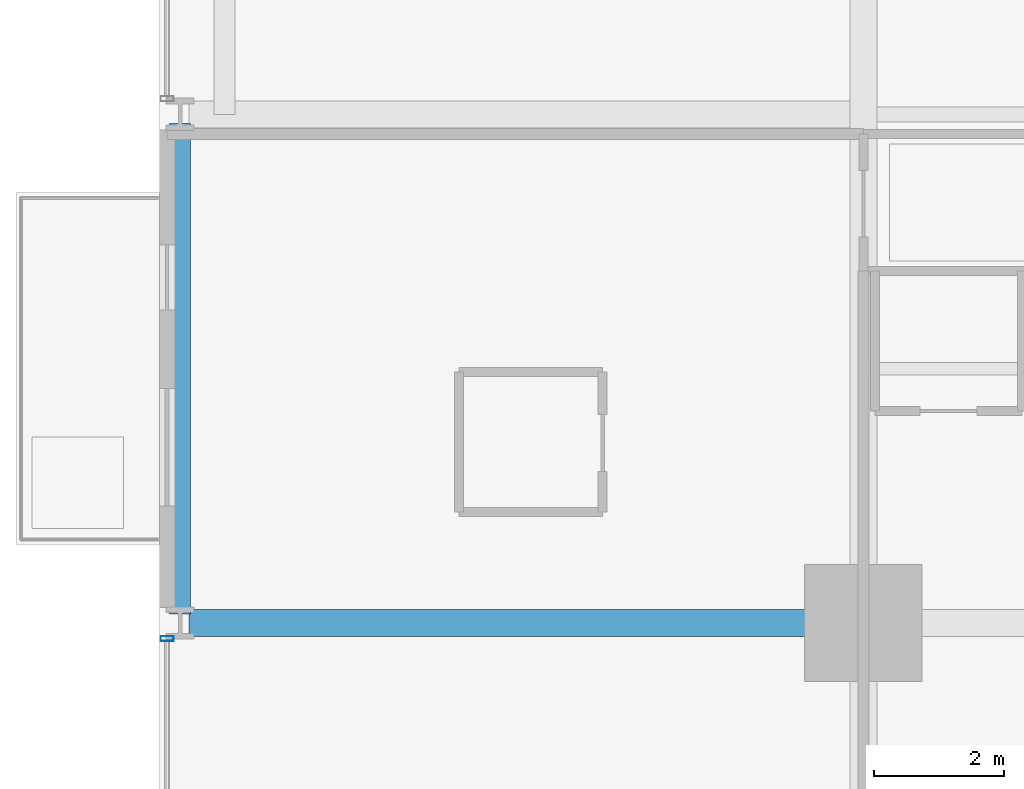
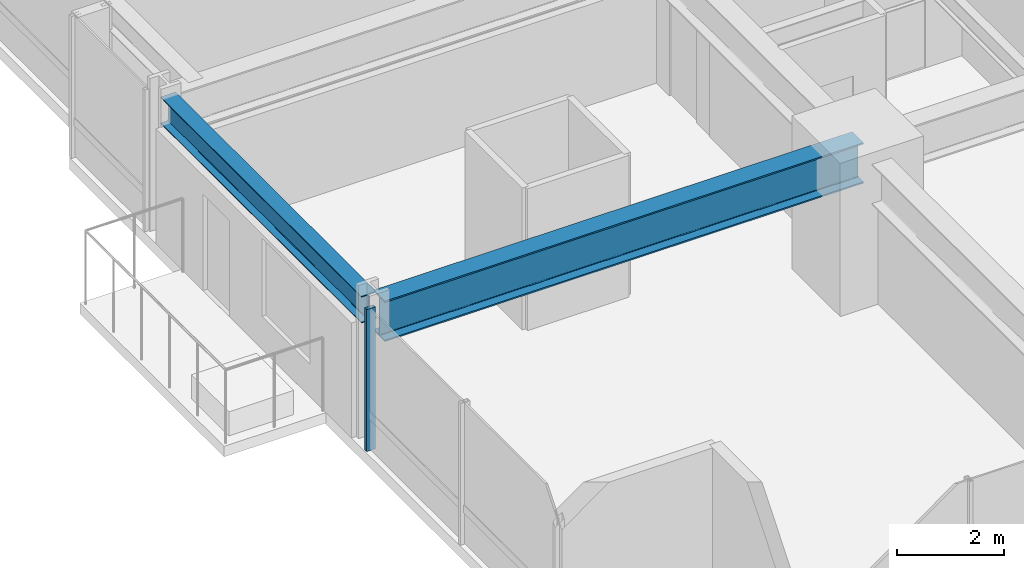
# One storey, part 4 of 39: 2 beams, 1 member, 1 element without a shape of its own.
"""IFC4 building model written with IfcOpenShell, lengths in metres."""

from ifc_helpers import new_model, si_unit, direction, frame, origin, origin_2d, place, context, subcontext, project, spatial, hollow_rectangle, i_section, extrude, material, layer, layer_set, material_profile, profile_set, type_object, element, aggregate, save


model = new_model("IFC4")

# Units and contexts
model_context = context("Model", 3, precision=1e-05, world=origin(), true_north=direction((0.0, 1.0)))
body_context = subcontext(model_context, "Body", "Model", "MODEL_VIEW")
ifc_project = project(units=[si_unit("LENGTHUNIT", "METRE"), si_unit("AREAUNIT", "SQUARE_METRE"), si_unit("VOLUMEUNIT", "CUBIC_METRE"), si_unit("PLANEANGLEUNIT", "RADIAN"), si_unit("MASSUNIT", "GRAM", prefix="KILO")], contexts=[model_context])

# Site, building, storey
site_placement = place(None, origin())
site = spatial("IfcSite", under=ifc_project, at=site_placement, CompositionType="ELEMENT")
building_placement = place(site_placement, origin())
building = spatial("IfcBuilding", under=site, at=building_placement, Name="Drelvath Grand Hotel", CompositionType="ELEMENT")
storey_placement = place(building_placement, frame((0.0, 0.0, 36.699951171875)))
storey = spatial("IfcBuildingStorey", under=building, at=storey_placement, Name="L07", CompositionType="ELEMENT", Elevation=36.699951171875)

# Curtain wall, member
ifc_material_1 = material(Name="Warm Bronze Anodised Aluminium Frame", Category="aluminium")
ifc_layer = layer(ifc_material_1, 0.199951171875)
ifc_layer_set = layer_set([ifc_layer], Name="Warm Bronze Anodised Aluminium Frame")
curtain_wall_type = type_object("IfcCurtainWallType", Name="Stick Curtain Wall CW-02 Warm Bronze Low-Rise", PredefinedType="NOTDEFINED", material=ifc_layer_set)
curtain_wall_placement = place(storey_placement, origin())
curtain_wall = element("IfcCurtainWall", 1, at=curtain_wall_placement, inside=storey, type_object=curtain_wall_type, Name="L07 CW-02 Curtain Wall CW02-L07-WS1", PredefinedType="NOTDEFINED")
ifc_material_profile_1 = material_profile(ifc_material_1, hollow_rectangle(XDim=0.080078125, YDim=0.199951171875, WallThickness=0.0048828125, at=origin_2d()), Name="HSS200X80X5")
ifc_profile_set_1 = profile_set([ifc_material_profile_1], Name="Warm Bronze Anodised Aluminium Frame")
member_type = type_object("IfcMemberType", Name="Curtain Wall Vertical Mullion CW-02 HSS200X80X5", PredefinedType="MULLION", material=ifc_profile_set_1)
member_placement = place(storey_placement, frame((-26.8798828125, 10.55908203125, 0.0), z_axis=(0.0, 0.0, 1.0), x_axis=(0.0, 1.0, 0.0)))
member = element("IfcMember", 2, at=member_placement, type_object=member_type, Name="CW02-L07-WS1 Mullion 3", PredefinedType="MULLION", context=body_context, shape_type="SweptSolid", body=[
    extrude(hollow_rectangle(XDim=0.080078125, YDim=0.199951171875, WallThickness=0.0048828125, at=origin_2d()), origin(), (0.0, 0.0, 1.0), 3.239990234375),
])
aggregate(curtain_wall, [member])

# Beams
ifc_material_2 = material(Name="Steel ASTM A992 Gr 50", Category="steel")
ifc_material_profile_2 = material_profile(ifc_material_2, i_section(OverallWidth=0.323974609375, OverallDepth=0.611083984375, WebThickness=0.0126953125, FlangeThickness=0.01904296875, FilletRadius=0.02197265625, at=origin_2d()), Name="W24X104")
ifc_profile_set_2 = profile_set([ifc_material_profile_2], Name="Steel ASTM A992 Gr 50")
beam_type_1 = type_object("IfcBeamType", Name="Perimeter Spandrel Beam W24X104", PredefinedType="SPANDREL", material=ifc_profile_set_2)
beam_1_placement = place(storey_placement, frame((-26.679931640625, 10.93994140625, 2.9345703125), z_axis=(0.0, 1.0, 0.0), x_axis=(-1.0, 0.0, 0.0)))
element("IfcBeam", 3, at=beam_1_placement, inside=storey, type_object=beam_type_1, Name="L07 Spandrel West S", PredefinedType="SPANDREL", context=body_context, shape_type="SweptSolid", body=[
    extrude(i_section(OverallWidth=0.323974609375, OverallDepth=0.611083984375, WebThickness=0.0126953125, FlangeThickness=0.01904296875, FilletRadius=0.02197265625, at=origin_2d()), origin(), (0.0, 0.0, 1.0), 7.52001953125),
])
ifc_material_profile_3 = material_profile(ifc_material_2, i_section(OverallWidth=0.418212890625, OverallDepth=0.926513671875, WebThickness=0.019287109375, FlangeThickness=0.031982421875, FilletRadius=0.028076171875, at=origin_2d()), Name="W36X231")
ifc_profile_set_3 = profile_set([ifc_material_profile_3], Name="Steel ASTM A992 Gr 50")
beam_type_2 = type_object("IfcBeamType", Name="Primary Floor Girder W36X231", PredefinedType="BEAM", material=ifc_profile_set_3)
beam_2_placement = place(storey_placement, frame((-26.5400390625, 10.800048828125, 2.77685546875), z_axis=(1.0, 0.0, 0.0), x_axis=(0.0, 1.0, 0.0)))
element("IfcBeam", 4, at=beam_2_placement, inside=storey, type_object=beam_type_2, Name="L07 West Grid Girder C", PredefinedType="BEAM", context=body_context, shape_type="SweptSolid", body=[
    extrude(i_section(OverallWidth=0.418212890625, OverallDepth=0.926513671875, WebThickness=0.019287109375, FlangeThickness=0.031982421875, FilletRadius=0.028076171875, at=origin_2d()), origin(), (0.0, 0.0, 1.0), 10.340087890625),
])

save(model, "model.ifc")
